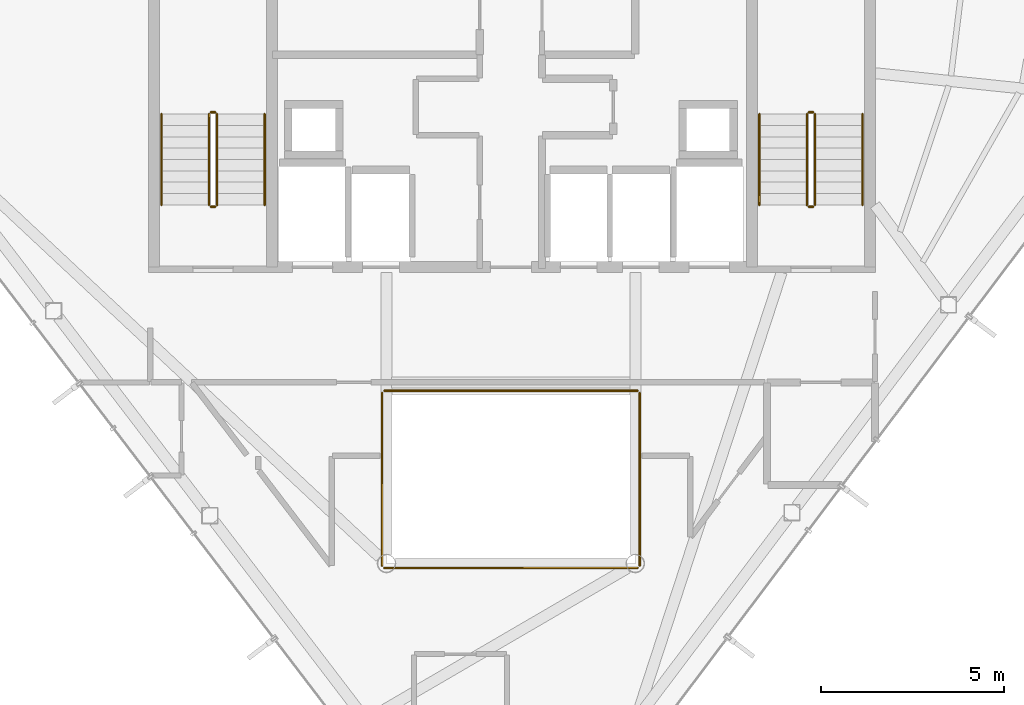
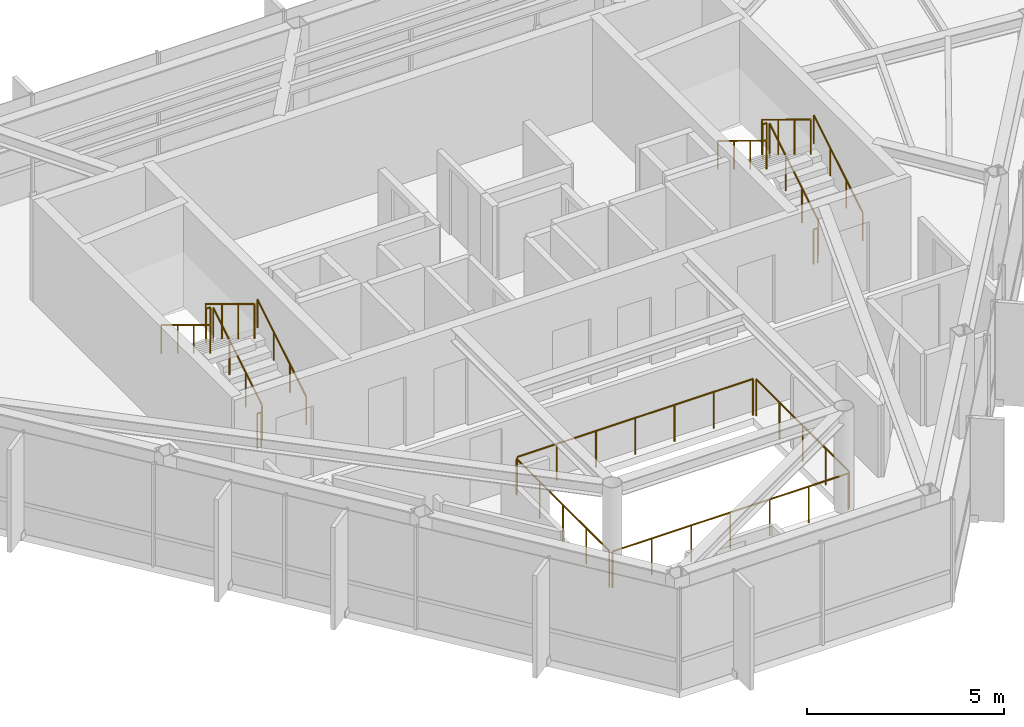
# One storey, part 22 of 22: 16 railings.
"""IFC4 building model written with IfcOpenShell, lengths in metres."""

from ifc_helpers import new_model, si_unit, direction, frame, origin, origin_2d, place, context, subcontext, project, spatial, circle, extrude, material, type_object, element, save


model = new_model("IFC4")

# Units and contexts
model_context = context("Model", 3, precision=1e-05, world=origin(), true_north=direction((0.0, 1.0)))
body_context = subcontext(model_context, "Body", "Model", "MODEL_VIEW")
ifc_project = project(units=[si_unit("LENGTHUNIT", "METRE"), si_unit("AREAUNIT", "SQUARE_METRE"), si_unit("VOLUMEUNIT", "CUBIC_METRE"), si_unit("PLANEANGLEUNIT", "RADIAN"), si_unit("MASSUNIT", "GRAM", prefix="KILO")], contexts=[model_context])

# Site, building, storey
site_placement = place(None, origin())
site = spatial("IfcSite", under=ifc_project, at=site_placement, CompositionType="ELEMENT")
building_placement = place(site_placement, origin())
building = spatial("IfcBuilding", under=site, at=building_placement, Name="Zarrinselat Tower", CompositionType="ELEMENT")
storey_placement = place(building_placement, frame((0.0, 0.0, 289.0)))
storey = spatial("IfcBuildingStorey", under=building, at=storey_placement, Name="L74", CompositionType="ELEMENT", Elevation=289.0)

# Railings
ifc_material_1 = material(Name="Double Low-E Laminated Solar Glass", Category="glass")
railing_type_1 = type_object("IfcRailingType", Name="RLG-ATRIUM-BAL", PredefinedType="BALUSTRADE", material=ifc_material_1)
railing_1_placement = place(storey_placement, frame((34.93994140625, 25.080078125, 0.0)))
element("IfcRailing", 1, at=railing_1_placement, inside=storey, type_object=railing_type_1, Name="L74 Atrium Void Glass Balustrade S", PredefinedType="BALUSTRADE", context=body_context, shape_type="SweptSolid", body=[
    extrude(circle(Radius=0.02392578125, at=origin_2d()), frame((0.0, 0.0, 1.1259765625), z_axis=(1.0, 0.0, 0.0), x_axis=(0.0, 1.0, 0.0)), (0.0, 0.0, 1.0), 6.920166015625),
    extrude(circle(Radius=0.02099609375, at=origin_2d()), origin(), (0.0, 0.0, 1.0), 1.099853515625),
    extrude(circle(Radius=0.02099609375, at=origin_2d()), frame((1.1533203125, 0.0, 0.0)), (0.0, 0.0, 1.0), 1.099853515625),
    extrude(circle(Radius=0.02099609375, at=origin_2d()), frame((2.306640625, 0.0, 0.0)), (0.0, 0.0, 1.0), 1.099853515625),
    extrude(circle(Radius=0.02099609375, at=origin_2d()), frame((3.4599609375, 0.0, 0.0)), (0.0, 0.0, 1.0), 1.099853515625),
    extrude(circle(Radius=0.02099609375, at=origin_2d()), frame((4.613525390625, 0.0, 0.0)), (0.0, 0.0, 1.0), 1.099853515625),
    extrude(circle(Radius=0.02099609375, at=origin_2d()), frame((5.766845703125, 0.0, 0.0)), (0.0, 0.0, 1.0), 1.099853515625),
    extrude(circle(Radius=0.02099609375, at=origin_2d()), frame((6.920166015625, 0.0, 0.0)), (0.0, 0.0, 1.0), 1.099853515625),
])
railing_2_placement = place(storey_placement, frame((41.919921875, 25.139892578125, 0.0)))
element("IfcRailing", 2, at=railing_2_placement, inside=storey, type_object=railing_type_1, Name="L74 Atrium Void Glass Balustrade E", PredefinedType="BALUSTRADE", context=body_context, shape_type="SweptSolid", body=[
    extrude(circle(Radius=0.02392578125, at=origin_2d()), frame((0.0, 0.0, 1.1259765625), z_axis=(0.0, 1.0, 0.0), x_axis=(-1.0, 0.0, 0.0)), (0.0, 0.0, 1.0), 4.72021484375),
    extrude(circle(Radius=0.02099609375, at=origin_2d()), origin(), (0.0, 0.0, 1.0), 1.099853515625),
    extrude(circle(Radius=0.02099609375, at=origin_2d()), frame((0.0, 1.18017578125, 0.0)), (0.0, 0.0, 1.0), 1.099853515625),
    extrude(circle(Radius=0.02099609375, at=origin_2d()), frame((0.0, 2.360107421875, 0.0)), (0.0, 0.0, 1.0), 1.099853515625),
    extrude(circle(Radius=0.02099609375, at=origin_2d()), frame((0.0, 3.5400390625, 0.0)), (0.0, 0.0, 1.0), 1.099853515625),
    extrude(circle(Radius=0.02099609375, at=origin_2d()), frame((0.0, 4.72021484375, 0.0)), (0.0, 0.0, 1.0), 1.099853515625),
])
railing_3_placement = place(storey_placement, frame((41.860107421875, 29.919921875, 0.0)))
element("IfcRailing", 3, at=railing_3_placement, inside=storey, type_object=railing_type_1, Name="L74 Atrium Void Glass Balustrade N", PredefinedType="BALUSTRADE", context=body_context, shape_type="SweptSolid", body=[
    extrude(circle(Radius=0.02392578125, at=origin_2d()), frame((0.0, 0.0, 1.1259765625), z_axis=(-1.0, 0.0, 0.0), x_axis=(0.0, -1.0, 0.0)), (0.0, 0.0, 1.0), 6.920166015625),
    extrude(circle(Radius=0.02099609375, at=origin_2d()), origin(), (0.0, 0.0, 1.0), 1.099853515625),
    extrude(circle(Radius=0.02099609375, at=origin_2d()), frame((-1.1533203125, 0.0, 0.0)), (0.0, 0.0, 1.0), 1.099853515625),
    extrude(circle(Radius=0.02099609375, at=origin_2d()), frame((-2.306640625, 0.0, 0.0)), (0.0, 0.0, 1.0), 1.099853515625),
    extrude(circle(Radius=0.02099609375, at=origin_2d()), frame((-3.4599609375, 0.0, 0.0)), (0.0, 0.0, 1.0), 1.099853515625),
    extrude(circle(Radius=0.02099609375, at=origin_2d()), frame((-4.613525390625, 0.0, 0.0)), (0.0, 0.0, 1.0), 1.099853515625),
    extrude(circle(Radius=0.02099609375, at=origin_2d()), frame((-5.766845703125, 0.0, 0.0)), (0.0, 0.0, 1.0), 1.099853515625),
    extrude(circle(Radius=0.02099609375, at=origin_2d()), frame((-6.920166015625, 0.0, 0.0)), (0.0, 0.0, 1.0), 1.099853515625),
])
railing_4_placement = place(storey_placement, frame((34.8798828125, 29.860107421875, 0.0)))
element("IfcRailing", 4, at=railing_4_placement, inside=storey, type_object=railing_type_1, Name="L74 Atrium Void Glass Balustrade W", PredefinedType="BALUSTRADE", context=body_context, shape_type="SweptSolid", body=[
    extrude(circle(Radius=0.02392578125, at=origin_2d()), frame((0.0, 0.0, 1.1259765625), z_axis=(0.0, -1.0, 0.0), x_axis=(1.0, 0.0, 0.0)), (0.0, 0.0, 1.0), 4.72021484375),
    extrude(circle(Radius=0.02099609375, at=origin_2d()), origin(), (0.0, 0.0, 1.0), 1.099853515625),
    extrude(circle(Radius=0.02099609375, at=origin_2d()), frame((0.0, -1.18017578125, 0.0)), (0.0, 0.0, 1.0), 1.099853515625),
    extrude(circle(Radius=0.02099609375, at=origin_2d()), frame((0.0, -2.360107421875, 0.0)), (0.0, 0.0, 1.0), 1.099853515625),
    extrude(circle(Radius=0.02099609375, at=origin_2d()), frame((0.0, -3.5400390625, 0.0)), (0.0, 0.0, 1.0), 1.099853515625),
    extrude(circle(Radius=0.02099609375, at=origin_2d()), frame((0.0, -4.72021484375, 0.0)), (0.0, 0.0, 1.0), 1.099853515625),
])
ifc_material_2 = material(Name="Steel S355J2", Category="steel")
railing_type_2 = type_object("IfcRailingType", Name="RLG-STAIR-GUARD", PredefinedType="GUARDRAIL", material=ifc_material_2)
railing_5_placement = place(storey_placement, frame((30.3701171875, 35.0, 0.18896484375)))
element("IfcRailing", 5, at=railing_5_placement, inside=storey, type_object=railing_type_2, Name="L74 ST-1 stair guard 1", PredefinedType="GUARDRAIL", context=body_context, shape_type="SweptSolid", body=[
    extrude(circle(Radius=0.02392578125, at=origin_2d()), frame((0.0, 0.0, 1.076171875), z_axis=(0.0, 0.8539793189, 0.520306950647), x_axis=(-1.0, 0.0, 0.0)), (0.0, 0.0, 1.0), 2.904052734375),
    extrude(circle(Radius=0.02099609375, at=origin_2d()), origin(), (0.0, 0.0, 1.0), 1.050048828125),
    extrude(circle(Radius=0.02099609375, at=origin_2d()), frame((0.0, 0.82666015625, 0.503662109375)), (0.0, 0.0, 1.0), 1.050048828125),
    extrude(circle(Radius=0.02099609375, at=origin_2d()), frame((0.0, 1.6533203125, 1.00732421875)), (0.0, 0.0, 1.0), 1.050048828125),
    extrude(circle(Radius=0.02099609375, at=origin_2d()), frame((0.0, 2.47998046875, 1.510986328125)), (0.0, 0.0, 1.0), 1.050048828125),
])
railing_6_placement = place(storey_placement, frame((30.320068359375, 37.530029296875, 1.699951171875)))
element("IfcRailing", 6, at=railing_6_placement, inside=storey, type_object=railing_type_2, Name="L74 ST-1 stair guard 2", PredefinedType="GUARDRAIL", context=body_context, shape_type="SweptSolid", body=[
    extrude(circle(Radius=0.02392578125, at=origin_2d()), frame((0.0, 0.0, 1.076171875), z_axis=(-1.0, 0.0, 0.0), x_axis=(0.0, -1.0, 0.0)), (0.0, 0.0, 1.0), 0.1201171875),
    extrude(circle(Radius=0.02099609375, at=origin_2d()), origin(), (0.0, 0.0, 1.0), 1.050048828125),
    extrude(circle(Radius=0.02099609375, at=origin_2d()), frame((-0.1201171875, 0.0, 0.0)), (0.0, 0.0, 1.0), 1.050048828125),
])
railing_7_placement = place(storey_placement, frame((30.14990234375, 37.47998046875, 1.888916015625)))
element("IfcRailing", 7, at=railing_7_placement, inside=storey, type_object=railing_type_2, Name="L74 ST-1 stair guard 3", PredefinedType="GUARDRAIL", context=body_context, shape_type="SweptSolid", body=[
    extrude(circle(Radius=0.02392578125, at=origin_2d()), frame((0.0, 0.0, 1.076171875), z_axis=(0.0, -0.8539793189, 0.520306950647), x_axis=(1.0, 0.0, 0.0)), (0.0, 0.0, 1.0), 2.904052734375),
    extrude(circle(Radius=0.02099609375, at=origin_2d()), origin(), (0.0, 0.0, 1.0), 1.050048828125),
    extrude(circle(Radius=0.02099609375, at=origin_2d()), frame((0.0, -0.82666015625, 0.503662109375)), (0.0, 0.0, 1.0), 1.050048828125),
    extrude(circle(Radius=0.02099609375, at=origin_2d()), frame((0.0, -1.6533203125, 1.00732421875)), (0.0, 0.0, 1.0), 1.050048828125),
    extrude(circle(Radius=0.02099609375, at=origin_2d()), frame((0.0, -2.47998046875, 1.510986328125)), (0.0, 0.0, 1.0), 1.050048828125),
])
railing_8_placement = place(storey_placement, frame((30.320068359375, 34.949951171875, 0.0)))
element("IfcRailing", 8, at=railing_8_placement, inside=storey, type_object=railing_type_2, Name="L74 ST-1 stair guard 4", PredefinedType="GUARDRAIL", context=body_context, shape_type="SweptSolid", body=[
    extrude(circle(Radius=0.02392578125, at=origin_2d()), frame((0.0, 0.0, 1.076171875), z_axis=(-1.0, 0.0, 0.0), x_axis=(0.0, -1.0, 0.0)), (0.0, 0.0, 1.0), 0.1201171875),
    extrude(circle(Radius=0.02099609375, at=origin_2d()), origin(), (0.0, 0.0, 1.0), 1.050048828125),
    extrude(circle(Radius=0.02099609375, at=origin_2d()), frame((-0.1201171875, 0.0, 0.0)), (0.0, 0.0, 1.0), 1.050048828125),
])
railing_9_placement = place(storey_placement, frame((46.7099609375, 35.0, 0.18896484375)))
element("IfcRailing", 9, at=railing_9_placement, inside=storey, type_object=railing_type_2, Name="L74 ST-2 stair guard 1", PredefinedType="GUARDRAIL", context=body_context, shape_type="SweptSolid", body=[
    extrude(circle(Radius=0.02392578125, at=origin_2d()), frame((0.0, 0.0, 1.076171875), z_axis=(0.0, 0.8539793189, 0.520306950647), x_axis=(-1.0, 0.0, 0.0)), (0.0, 0.0, 1.0), 2.904052734375),
    extrude(circle(Radius=0.02099609375, at=origin_2d()), origin(), (0.0, 0.0, 1.0), 1.050048828125),
    extrude(circle(Radius=0.02099609375, at=origin_2d()), frame((0.0, 0.82666015625, 0.503662109375)), (0.0, 0.0, 1.0), 1.050048828125),
    extrude(circle(Radius=0.02099609375, at=origin_2d()), frame((0.0, 1.6533203125, 1.00732421875)), (0.0, 0.0, 1.0), 1.050048828125),
    extrude(circle(Radius=0.02099609375, at=origin_2d()), frame((0.0, 2.47998046875, 1.510986328125)), (0.0, 0.0, 1.0), 1.050048828125),
])
railing_10_placement = place(storey_placement, frame((46.659912109375, 37.530029296875, 1.699951171875)))
element("IfcRailing", 10, at=railing_10_placement, inside=storey, type_object=railing_type_2, Name="L74 ST-2 stair guard 2", PredefinedType="GUARDRAIL", context=body_context, shape_type="SweptSolid", body=[
    extrude(circle(Radius=0.02392578125, at=origin_2d()), frame((0.0, 0.0, 1.076171875), z_axis=(-1.0, 0.0, 0.0), x_axis=(0.0, -1.0, 0.0)), (0.0, 0.0, 1.0), 0.119873046875),
    extrude(circle(Radius=0.02099609375, at=origin_2d()), origin(), (0.0, 0.0, 1.0), 1.050048828125),
    extrude(circle(Radius=0.02099609375, at=origin_2d()), frame((-0.119873046875, 0.0, 0.0)), (0.0, 0.0, 1.0), 1.050048828125),
])
railing_11_placement = place(storey_placement, frame((46.489990234375, 37.47998046875, 1.888916015625)))
element("IfcRailing", 11, at=railing_11_placement, inside=storey, type_object=railing_type_2, Name="L74 ST-2 stair guard 3", PredefinedType="GUARDRAIL", context=body_context, shape_type="SweptSolid", body=[
    extrude(circle(Radius=0.02392578125, at=origin_2d()), frame((0.0, 0.0, 1.076171875), z_axis=(0.0, -0.8539793189, 0.520306950647), x_axis=(1.0, 0.0, 0.0)), (0.0, 0.0, 1.0), 2.904052734375),
    extrude(circle(Radius=0.02099609375, at=origin_2d()), origin(), (0.0, 0.0, 1.0), 1.050048828125),
    extrude(circle(Radius=0.02099609375, at=origin_2d()), frame((0.0, -0.82666015625, 0.503662109375)), (0.0, 0.0, 1.0), 1.050048828125),
    extrude(circle(Radius=0.02099609375, at=origin_2d()), frame((0.0, -1.6533203125, 1.00732421875)), (0.0, 0.0, 1.0), 1.050048828125),
    extrude(circle(Radius=0.02099609375, at=origin_2d()), frame((0.0, -2.47998046875, 1.510986328125)), (0.0, 0.0, 1.0), 1.050048828125),
])
railing_12_placement = place(storey_placement, frame((46.659912109375, 34.949951171875, 0.0)))
element("IfcRailing", 12, at=railing_12_placement, inside=storey, type_object=railing_type_2, Name="L74 ST-2 stair guard 4", PredefinedType="GUARDRAIL", context=body_context, shape_type="SweptSolid", body=[
    extrude(circle(Radius=0.02392578125, at=origin_2d()), frame((0.0, 0.0, 1.076171875), z_axis=(-1.0, 0.0, 0.0), x_axis=(0.0, -1.0, 0.0)), (0.0, 0.0, 1.0), 0.119873046875),
    extrude(circle(Radius=0.02099609375, at=origin_2d()), origin(), (0.0, 0.0, 1.0), 1.050048828125),
    extrude(circle(Radius=0.02099609375, at=origin_2d()), frame((-0.119873046875, 0.0, 0.0)), (0.0, 0.0, 1.0), 1.050048828125),
])
ifc_material_3 = material(Name="Steel S355J2", Category="steel")
railing_type_3 = type_object("IfcRailingType", Name="RLG-STAIR-HAND", PredefinedType="HANDRAIL", material=ifc_material_3)
railing_13_placement = place(storey_placement, frame((31.669921875, 35.0, 0.18896484375)))
element("IfcRailing", 13, at=railing_13_placement, inside=storey, type_object=railing_type_3, Name="L74 ST-1 stair handrail 1", PredefinedType="HANDRAIL", context=body_context, shape_type="SweptSolid", body=[
    extrude(circle(Radius=0.02392578125, at=origin_2d()), frame((0.0, 0.0, 0.8759765625), z_axis=(0.0, 0.8539793189, 0.520306950647), x_axis=(-1.0, 0.0, 0.0)), (0.0, 0.0, 1.0), 2.904052734375),
    extrude(circle(Radius=0.02099609375, at=origin_2d()), origin(), (0.0, 0.0, 1.0), 0.849853515625),
    extrude(circle(Radius=0.02099609375, at=origin_2d()), frame((0.0, 0.82666015625, 0.503662109375)), (0.0, 0.0, 1.0), 0.849853515625),
    extrude(circle(Radius=0.02099609375, at=origin_2d()), frame((0.0, 1.6533203125, 1.00732421875)), (0.0, 0.0, 1.0), 0.849853515625),
    extrude(circle(Radius=0.02099609375, at=origin_2d()), frame((0.0, 2.47998046875, 1.510986328125)), (0.0, 0.0, 1.0), 0.849853515625),
])
railing_14_placement = place(storey_placement, frame((28.85009765625, 37.47998046875, 1.888916015625)))
element("IfcRailing", 14, at=railing_14_placement, inside=storey, type_object=railing_type_3, Name="L74 ST-1 stair handrail 2", PredefinedType="HANDRAIL", context=body_context, shape_type="SweptSolid", body=[
    extrude(circle(Radius=0.02392578125, at=origin_2d()), frame((0.0, 0.0, 0.8759765625), z_axis=(0.0, -0.8539793189, 0.520306950647), x_axis=(1.0, 0.0, 0.0)), (0.0, 0.0, 1.0), 2.904052734375),
    extrude(circle(Radius=0.02099609375, at=origin_2d()), origin(), (0.0, 0.0, 1.0), 0.849853515625),
    extrude(circle(Radius=0.02099609375, at=origin_2d()), frame((0.0, -0.82666015625, 0.503662109375)), (0.0, 0.0, 1.0), 0.849853515625),
    extrude(circle(Radius=0.02099609375, at=origin_2d()), frame((0.0, -1.6533203125, 1.00732421875)), (0.0, 0.0, 1.0), 0.849853515625),
    extrude(circle(Radius=0.02099609375, at=origin_2d()), frame((0.0, -2.47998046875, 1.510986328125)), (0.0, 0.0, 1.0), 0.849853515625),
])
railing_15_placement = place(storey_placement, frame((48.010009765625, 35.0, 0.18896484375)))
element("IfcRailing", 15, at=railing_15_placement, inside=storey, type_object=railing_type_3, Name="L74 ST-2 stair handrail 1", PredefinedType="HANDRAIL", context=body_context, shape_type="SweptSolid", body=[
    extrude(circle(Radius=0.02392578125, at=origin_2d()), frame((0.0, 0.0, 0.8759765625), z_axis=(0.0, 0.8539793189, 0.520306950647), x_axis=(-1.0, 0.0, 0.0)), (0.0, 0.0, 1.0), 2.904052734375),
    extrude(circle(Radius=0.02099609375, at=origin_2d()), origin(), (0.0, 0.0, 1.0), 0.849853515625),
    extrude(circle(Radius=0.02099609375, at=origin_2d()), frame((0.0, 0.82666015625, 0.503662109375)), (0.0, 0.0, 1.0), 0.849853515625),
    extrude(circle(Radius=0.02099609375, at=origin_2d()), frame((0.0, 1.6533203125, 1.00732421875)), (0.0, 0.0, 1.0), 0.849853515625),
    extrude(circle(Radius=0.02099609375, at=origin_2d()), frame((0.0, 2.47998046875, 1.510986328125)), (0.0, 0.0, 1.0), 0.849853515625),
])
railing_16_placement = place(storey_placement, frame((45.18994140625, 37.47998046875, 1.888916015625)))
element("IfcRailing", 16, at=railing_16_placement, inside=storey, type_object=railing_type_3, Name="L74 ST-2 stair handrail 2", PredefinedType="HANDRAIL", context=body_context, shape_type="SweptSolid", body=[
    extrude(circle(Radius=0.02392578125, at=origin_2d()), frame((0.0, 0.0, 0.8759765625), z_axis=(0.0, -0.8539793189, 0.520306950647), x_axis=(1.0, 0.0, 0.0)), (0.0, 0.0, 1.0), 2.904052734375),
    extrude(circle(Radius=0.02099609375, at=origin_2d()), origin(), (0.0, 0.0, 1.0), 0.849853515625),
    extrude(circle(Radius=0.02099609375, at=origin_2d()), frame((0.0, -0.82666015625, 0.503662109375)), (0.0, 0.0, 1.0), 0.849853515625),
    extrude(circle(Radius=0.02099609375, at=origin_2d()), frame((0.0, -1.6533203125, 1.00732421875)), (0.0, 0.0, 1.0), 0.849853515625),
    extrude(circle(Radius=0.02099609375, at=origin_2d()), frame((0.0, -2.47998046875, 1.510986328125)), (0.0, 0.0, 1.0), 0.849853515625),
])

save(model, "model.ifc")
